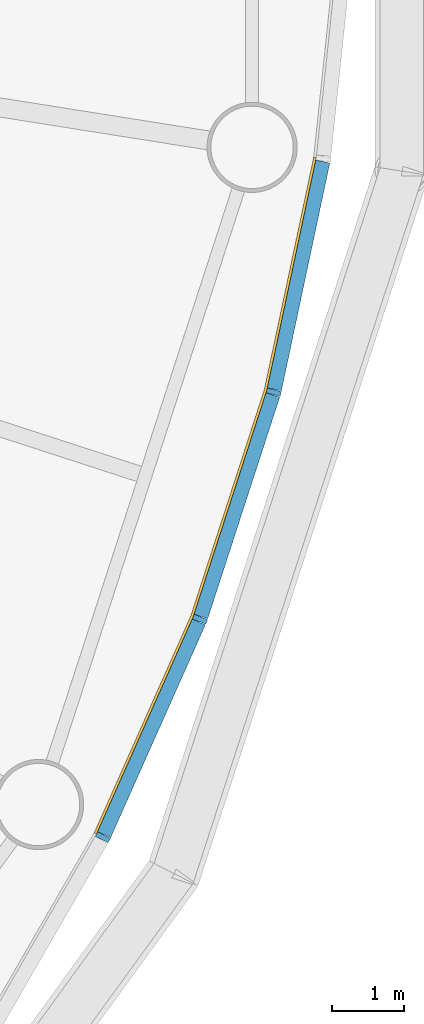
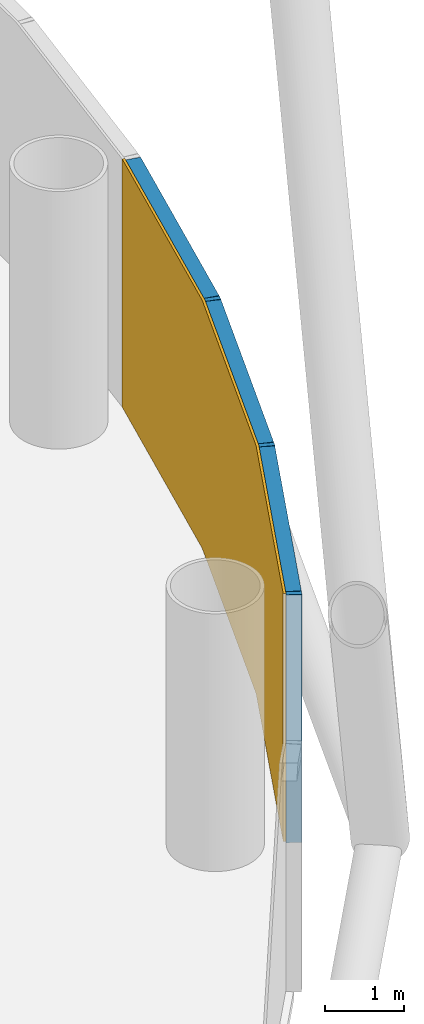
# One storey, part 9 of 13: 6 members, 1 curtain wall.
"""IFC4 building model written with IfcOpenShell, lengths in metres."""

from ifc_helpers import new_model, si_unit, direction, frame, origin, origin_2d, place, context, subcontext, project, spatial, polyline, rectangle, outline, extrude, material, layer, layer_set, material_profile, profile_set, type_object, element, aggregate, save


model = new_model("IFC4")

# Units and contexts
model_context = context("Model", 3, precision=1e-05, world=origin(), true_north=direction((0.0, 1.0)))
body_context = subcontext(model_context, "Body", "Model", "MODEL_VIEW")
ifc_project = project(units=[si_unit("LENGTHUNIT", "METRE"), si_unit("AREAUNIT", "SQUARE_METRE"), si_unit("VOLUMEUNIT", "CUBIC_METRE"), si_unit("PLANEANGLEUNIT", "RADIAN"), si_unit("MASSUNIT", "GRAM", prefix="KILO")], contexts=[model_context])

# Member
ifc_material_1 = material(Name="Anodised aluminium", Category="aluminium")
ifc_material_profile_1 = material_profile(ifc_material_1, rectangle(XDim=0.070068359375, YDim=0.199951171875, at=origin_2d()), Name="Mullion 70 x 200 mm anodised aluminium")
ifc_profile_set_1 = profile_set([ifc_material_profile_1], Name="Anodised aluminium")
member_type_1 = type_object("IfcMemberType", Name="Mullion 70 x 200 mm anodised aluminium", PredefinedType="MULLION", material=ifc_profile_set_1)
site_placement = place(None, origin())
building_placement = place(site_placement, origin())
storey_placement = place(building_placement, frame((0.0, 0.0, 96.0)))
member_1_placement = place(storey_placement, frame((118.15576171875, 65.65380859375, 0.0), z_axis=(0.0, 0.0, 1.0), x_axis=(0.45399049974, 0.891006524188, 0.0)))
member_1 = element("IfcMember", 1, at=member_1_placement, type_object=member_type_1, Name="MULLION L21-54", PredefinedType="MULLION", context=body_context, shape_type="SweptSolid", body=[
    extrude(rectangle(XDim=0.070068359375, YDim=0.199951171875, at=origin_2d()), origin(), (0.0, 0.0, 1.0), 3.85009765625),
])

member_2_placement = place(storey_placement, frame((119.501220703125, 68.675537109375, 0.0), z_axis=(0.0, 0.0, 1.0), x_axis=(0.358367949545, 0.933580426497, 0.0)))
member_2 = element("IfcMember", 2, at=member_2_placement, type_object=member_type_1, Name="MULLION L21-55", PredefinedType="MULLION", context=body_context, shape_type="SweptSolid", body=[
    extrude(rectangle(XDim=0.070068359375, YDim=0.199951171875, at=origin_2d()), origin(), (0.0, 0.0, 1.0), 3.85009765625),
])

member_3_placement = place(storey_placement, frame((120.523193359375, 71.8212890625, 0.0), z_axis=(0.0, 0.0, 1.0), x_axis=(0.258819045103, 0.965925826289, 0.0)))
member_3 = element("IfcMember", 3, at=member_3_placement, type_object=member_type_1, Name="MULLION L21-56", PredefinedType="MULLION", context=body_context, shape_type="SweptSolid", body=[
    extrude(rectangle(XDim=0.070068359375, YDim=0.199951171875, at=origin_2d()), origin(), (0.0, 0.0, 1.0), 3.85009765625),
])

ifc_material_2 = material(Name="Anodised aluminium", Category="aluminium")
ifc_material_profile_2 = material_profile(ifc_material_2, rectangle(XDim=0.199951171875, YDim=0.18994140625, at=origin_2d()), Name="Transom 190 x 200 mm anodised aluminium")
ifc_profile_set_2 = profile_set([ifc_material_profile_2], Name="Anodised aluminium")
member_type_2 = type_object("IfcMemberType", Name="Transom 190 x 200 mm anodised aluminium", PredefinedType="USERDEFINED", material=ifc_profile_set_2)
member_4_placement = place(storey_placement, frame((118.17236328125, 65.690673828125, 3.7548828125), z_axis=(0.406728032322, 0.913549291349, 0.0), x_axis=(-0.913549291349, 0.406728032322, 0.0)))
member_4 = element("IfcMember", 4, at=member_4_placement, type_object=member_type_2, Name="TRANSOM L21-54", ObjectType="TRANSOM", PredefinedType="USERDEFINED", context=body_context, shape_type="SweptSolid", body=[
    extrude(rectangle(XDim=0.199951171875, YDim=0.18994140625, at=origin_2d()), origin(), (0.0, 0.0, 1.0), 3.22705078125),
])

member_5_placement = place(storey_placement, frame((119.513671875, 68.7138671875, 3.7548828125), z_axis=(0.309046726844, 0.951046855117, 0.0), x_axis=(-0.951046855117, 0.309046726844, 0.0)))
member_5 = element("IfcMember", 5, at=member_5_placement, type_object=member_type_2, Name="TRANSOM L21-55", ObjectType="TRANSOM", PredefinedType="USERDEFINED", context=body_context, shape_type="SweptSolid", body=[
    extrude(rectangle(XDim=0.199951171875, YDim=0.18994140625, at=origin_2d()), origin(), (0.0, 0.0, 1.0), 3.22705078125),
])

member_6_placement = place(storey_placement, frame((120.53173828125, 71.860595703125, 3.7548828125), z_axis=(0.207885898771, 0.978153082647, 0.0), x_axis=(-0.978153082647, 0.207885898771, 0.0)))
member_6 = element("IfcMember", 6, at=member_6_placement, type_object=member_type_2, Name="TRANSOM L21-56", ObjectType="TRANSOM", PredefinedType="USERDEFINED", context=body_context, shape_type="SweptSolid", body=[
    extrude(rectangle(XDim=0.199951171875, YDim=0.18994140625, at=origin_2d()), origin(), (0.0, 0.0, 1.0), 3.227294921875),
])

# Site, building, storey
site = spatial("IfcSite", under=ifc_project, at=site_placement, CompositionType="ELEMENT")
building = spatial("IfcBuilding", under=site, at=building_placement, Name="Entoto Ring Tower", CompositionType="ELEMENT")
storey = spatial("IfcBuildingStorey", under=building, at=storey_placement, Name="L21", CompositionType="ELEMENT", Elevation=96.0)

# Curtain wall
ifc_material_3 = material(Name="Clear low-iron glass", Category="glass")
ifc_layer = layer(ifc_material_3, 0.035888671875)
ifc_layer_set = layer_set([ifc_layer], Name="Clear low-iron glass")
curtain_wall_type = type_object("IfcCurtainWallType", Name="Curtain wall system CW2 glazing 36 mm", PredefinedType="NOTDEFINED", material=ifc_layer_set)
curtain_wall_placement = place(storey_placement, origin())
curtain_wall = element("IfcCurtainWall", 7, at=curtain_wall_placement, inside=storey, type_object=curtain_wall_type, Name="CW2 L21-19", PredefinedType="NOTDEFINED", context=body_context, shape_type="SweptSolid", body=[
    extrude(outline(polyline([(118.066650390625, 65.69921875), (119.40771484375, 68.71142578125), (120.4267578125, 71.84716796875), (121.1123046875, 75.072265625), (121.07666015625, 75.077880859375), (120.391845703125, 71.8564453125), (119.3740234375, 68.724365234375), (118.03466796875, 65.715576171875), (118.066650390625, 65.69921875)])), origin(), (0.0, 0.0, 1.0), 3.85009765625),
])

aggregate(curtain_wall, [member_1, member_2, member_3, member_4, member_5, member_6])

save(model, "model.ifc")
